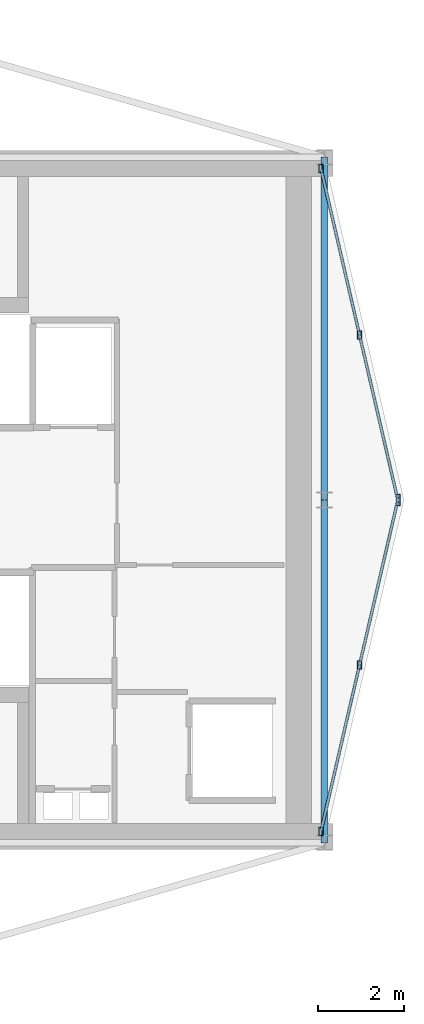
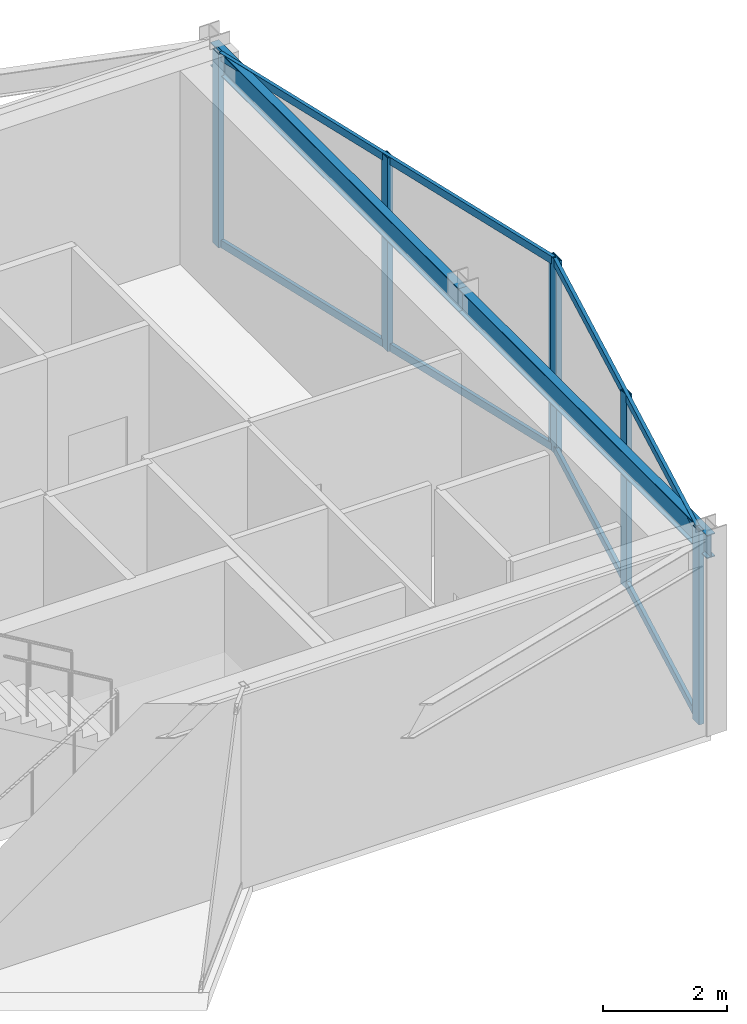
# One storey, part 7 of 13: 10 members, 2 beams, 2 elements without a shape of their own.
"""IFC4 building model written with IfcOpenShell, lengths in metres."""

from ifc_helpers import new_model, si_unit, direction, frame, origin, origin_2d, place, context, subcontext, project, spatial, hollow_rectangle, i_section, extrude, material, layer, layer_set, material_profile, profile_set, type_object, element, aggregate, save


model = new_model("IFC4")

# Units and contexts
model_context = context("Model", 3, precision=1e-05, world=origin(), true_north=direction((0.0, 1.0)))
body_context = subcontext(model_context, "Body", "Model", "MODEL_VIEW")
ifc_project = project(units=[si_unit("LENGTHUNIT", "METRE"), si_unit("AREAUNIT", "SQUARE_METRE"), si_unit("VOLUMEUNIT", "CUBIC_METRE"), si_unit("PLANEANGLEUNIT", "RADIAN"), si_unit("MASSUNIT", "GRAM", prefix="KILO")], contexts=[model_context])

# Site, building, storey
site_placement = place(None, origin())
site = spatial("IfcSite", under=ifc_project, at=site_placement, CompositionType="ELEMENT")
building_placement = place(site_placement, origin())
building = spatial("IfcBuilding", under=site, at=building_placement, Name="Veymaron Broadcast Tower", CompositionType="ELEMENT")
storey_placement = place(building_placement, frame((0.0, 0.0, 279.0)))
storey = spatial("IfcBuildingStorey", under=building, at=storey_placement, Name="L65", CompositionType="ELEMENT", Elevation=279.0)

# Beams
ifc_material_1 = material(Name="Structural steel ASTM A992 Gr 50", Category="steel")
ifc_material_profile_1 = material_profile(ifc_material_1, i_section(OverallWidth=0.154052734375, OverallDepth=0.458984375, WebThickness=0.009033203125, FlangeThickness=0.015380859375, at=origin_2d()), Name="W460X68")
ifc_profile_set_1 = profile_set([ifc_material_profile_1], Name="Structural steel ASTM A992 Gr 50")
beam_type = type_object("IfcBeamType", Name="BM-SP2", PredefinedType="SPANDREL", material=ifc_profile_set_1)
for number, where, z_axis, x_axis, name in (
    (1, (54.60009765625, 16.0, 3.58056640625), (0.0, 1.0, 0.0), (-1.0, 0.0, 0.0), "L65 primary structural floor girder"),
    (2, (54.60009765625, 24.0, 3.58056640625), (0.0, 1.0, 0.0), (-1.0, 0.0, 0.0), "L65 primary structural floor girder"),
):
    element("IfcBeam", number, at=place(storey_placement, frame(where, z_axis=z_axis, x_axis=x_axis)), inside=storey, type_object=beam_type, Name=name, PredefinedType="SPANDREL", context=body_context, shape_type="SweptSolid", body=[
        extrude(i_section(OverallWidth=0.154052734375, OverallDepth=0.458984375, WebThickness=0.009033203125, FlangeThickness=0.015380859375, at=origin_2d()), origin(), (0.0, 0.0, 1.0), 8.0),
    ])

# Curtain wall, members
ifc_material_2 = material(Name="Anodised aluminium AA 6063-T6 and laminated low-E dark glass", Category="aluminium")
ifc_layer = layer(ifc_material_2, 0.179931640625)
ifc_layer_set = layer_set([ifc_layer], Name="Anodised aluminium AA 6063-T6 and laminated low-E dark glass")
curtain_wall_type = type_object("IfcCurtainWallType", Name="CW-SYS-06", PredefinedType="NOTDEFINED", material=ifc_layer_set)
curtain_wall_1_placement = place(storey_placement, origin())
curtain_wall_1 = element("IfcCurtainWall", 3, at=curtain_wall_1_placement, inside=storey, type_object=curtain_wall_type, Name="L65 dark-glass curtain wall CW-L65-E2-1", PredefinedType="NOTDEFINED")
ifc_material_3 = material(Name="Anodised aluminium AA 6063-T6", Category="aluminium")
ifc_material_profile_2 = material_profile(ifc_material_3, hollow_rectangle(XDim=0.10009765625, YDim=0.199951171875, WallThickness=0.010009765625, at=origin_2d()), Name="RHS200X100X10")
ifc_profile_set_2 = profile_set([ifc_material_profile_2], Name="Anodised aluminium AA 6063-T6")
member_type_1 = type_object("IfcMemberType", Name="CW-MUL-01", PredefinedType="MULLION", material=ifc_profile_set_2)
member_1_placement = place(storey_placement, frame((54.517578125, 16.264892578125, 0.0), z_axis=(0.0, 0.0, 1.0), x_axis=(1.0, 0.0, 0.0)))
member_1 = element("IfcMember", 4, at=member_1_placement, type_object=member_type_1, Name="CW-L65-E2-1 mullion 0", PredefinedType="MULLION", context=body_context, shape_type="SweptSolid", body=[
    extrude(hollow_rectangle(XDim=0.10009765625, YDim=0.199951171875, WallThickness=0.010009765625, at=origin_2d()), origin(), (0.0, 0.0, 1.0), 3.81005859375),
])
member_2_placement = place(storey_placement, frame((55.418701171875, 20.148193359375, 0.0), z_axis=(0.0, 0.0, 1.0), x_axis=(1.0, 0.0, 0.0)))
member_2 = element("IfcMember", 5, at=member_2_placement, type_object=member_type_1, Name="CW-L65-E2-1 mullion 1", PredefinedType="MULLION", context=body_context, shape_type="SweptSolid", body=[
    extrude(hollow_rectangle(XDim=0.10009765625, YDim=0.199951171875, WallThickness=0.010009765625, at=origin_2d()), origin(), (0.0, 0.0, 1.0), 3.81005859375),
])
member_3_placement = place(storey_placement, frame((56.320068359375, 24.031494140625, 0.0), z_axis=(0.0, 0.0, 1.0), x_axis=(1.0, 0.0, 0.0)))
member_3 = element("IfcMember", 6, at=member_3_placement, type_object=member_type_1, Name="CW-L65-E2-1 mullion 2", PredefinedType="MULLION", context=body_context, shape_type="SweptSolid", body=[
    extrude(hollow_rectangle(XDim=0.10009765625, YDim=0.199951171875, WallThickness=0.010009765625, at=origin_2d()), origin(), (0.0, 0.0, 1.0), 3.81005859375),
])

curtain_wall_2_placement = place(storey_placement, origin())
curtain_wall_2 = element("IfcCurtainWall", 7, at=curtain_wall_2_placement, inside=storey, type_object=curtain_wall_type, Name="L65 dark-glass curtain wall CW-L65-E3-1", PredefinedType="NOTDEFINED")
member_4_placement = place(storey_placement, frame((56.320068359375, 23.968505859375, 0.0), z_axis=(0.0, 0.0, 1.0), x_axis=(1.0, 0.0, 0.0)))
member_4 = element("IfcMember", 8, at=member_4_placement, type_object=member_type_1, Name="CW-L65-E3-1 mullion 0", PredefinedType="MULLION", context=body_context, shape_type="SweptSolid", body=[
    extrude(hollow_rectangle(XDim=0.10009765625, YDim=0.199951171875, WallThickness=0.010009765625, at=origin_2d()), origin(), (0.0, 0.0, 1.0), 3.81005859375),
])
member_5_placement = place(storey_placement, frame((55.418701171875, 27.851806640625, 0.0), z_axis=(0.0, 0.0, 1.0), x_axis=(1.0, 0.0, 0.0)))
member_5 = element("IfcMember", 9, at=member_5_placement, type_object=member_type_1, Name="CW-L65-E3-1 mullion 1", PredefinedType="MULLION", context=body_context, shape_type="SweptSolid", body=[
    extrude(hollow_rectangle(XDim=0.10009765625, YDim=0.199951171875, WallThickness=0.010009765625, at=origin_2d()), origin(), (0.0, 0.0, 1.0), 3.81005859375),
])
member_6_placement = place(storey_placement, frame((54.517578125, 31.735107421875, 0.0), z_axis=(0.0, 0.0, 1.0), x_axis=(1.0, 0.0, 0.0)))
member_6 = element("IfcMember", 10, at=member_6_placement, type_object=member_type_1, Name="CW-L65-E3-1 mullion 2", PredefinedType="MULLION", context=body_context, shape_type="SweptSolid", body=[
    extrude(hollow_rectangle(XDim=0.10009765625, YDim=0.199951171875, WallThickness=0.010009765625, at=origin_2d()), origin(), (0.0, 0.0, 1.0), 3.81005859375),
])

# Member
ifc_material_profile_3 = material_profile(ifc_material_3, hollow_rectangle(XDim=0.06494140625, YDim=0.14990234375, WallThickness=0.00390625, at=origin_2d()), Name="AL150X65X4")
ifc_profile_set_3 = profile_set([ifc_material_profile_3], Name="Anodised aluminium AA 6063-T6")
member_type_2 = type_object("IfcMemberType", Name="CW-TRN-01", PredefinedType="USERDEFINED", material=ifc_profile_set_3)
member_7_placement = place(storey_placement, frame((54.529052734375, 16.3134765625, 0.070068359375), z_axis=(0.226025672802, 0.974121345231, 0.0), x_axis=(-0.974121345231, 0.226025672802, 0.0)))
member_7 = element("IfcMember", 11, at=member_7_placement, type_object=member_type_2, Name="CW-L65-E2-1 transom B", ObjectType="TRANSOM", PredefinedType="USERDEFINED", context=body_context, shape_type="SweptSolid", body=[
    extrude(hollow_rectangle(XDim=0.06494140625, YDim=0.14990234375, WallThickness=0.00390625, at=origin_2d()), origin(), (0.0, 0.0, 1.0), 7.873291015625),
])

member_8_placement = place(storey_placement, frame((54.529052734375, 16.3134765625, 3.739990234375), z_axis=(0.226025672802, 0.974121345231, 0.0), x_axis=(-0.974121345231, 0.226025672802, 0.0)))
member_8 = element("IfcMember", 12, at=member_8_placement, type_object=member_type_2, Name="CW-L65-E2-1 transom T", ObjectType="TRANSOM", PredefinedType="USERDEFINED", context=body_context, shape_type="SweptSolid", body=[
    extrude(hollow_rectangle(XDim=0.06494140625, YDim=0.14990234375, WallThickness=0.00390625, at=origin_2d()), origin(), (0.0, 0.0, 1.0), 7.873291015625),
])

aggregate(curtain_wall_1, [member_1, member_2, member_3, member_7, member_8])

member_9_placement = place(storey_placement, frame((56.30859375, 24.01708984375, 0.070068359375), z_axis=(-0.226025672802, 0.974121345231, 0.0), x_axis=(-0.974121345231, -0.226025672802, 0.0)))
member_9 = element("IfcMember", 13, at=member_9_placement, type_object=member_type_2, Name="CW-L65-E3-1 transom B", ObjectType="TRANSOM", PredefinedType="USERDEFINED", context=body_context, shape_type="SweptSolid", body=[
    extrude(hollow_rectangle(XDim=0.06494140625, YDim=0.14990234375, WallThickness=0.00390625, at=origin_2d()), origin(), (0.0, 0.0, 1.0), 7.873291015625),
])

member_10_placement = place(storey_placement, frame((56.30859375, 24.01708984375, 3.739990234375), z_axis=(-0.226025672802, 0.974121345231, 0.0), x_axis=(-0.974121345231, -0.226025672802, 0.0)))
member_10 = element("IfcMember", 14, at=member_10_placement, type_object=member_type_2, Name="CW-L65-E3-1 transom T", ObjectType="TRANSOM", PredefinedType="USERDEFINED", context=body_context, shape_type="SweptSolid", body=[
    extrude(hollow_rectangle(XDim=0.06494140625, YDim=0.14990234375, WallThickness=0.00390625, at=origin_2d()), origin(), (0.0, 0.0, 1.0), 7.873291015625),
])

aggregate(curtain_wall_2, [member_4, member_5, member_6, member_9, member_10])

save(model, "model.ifc")
